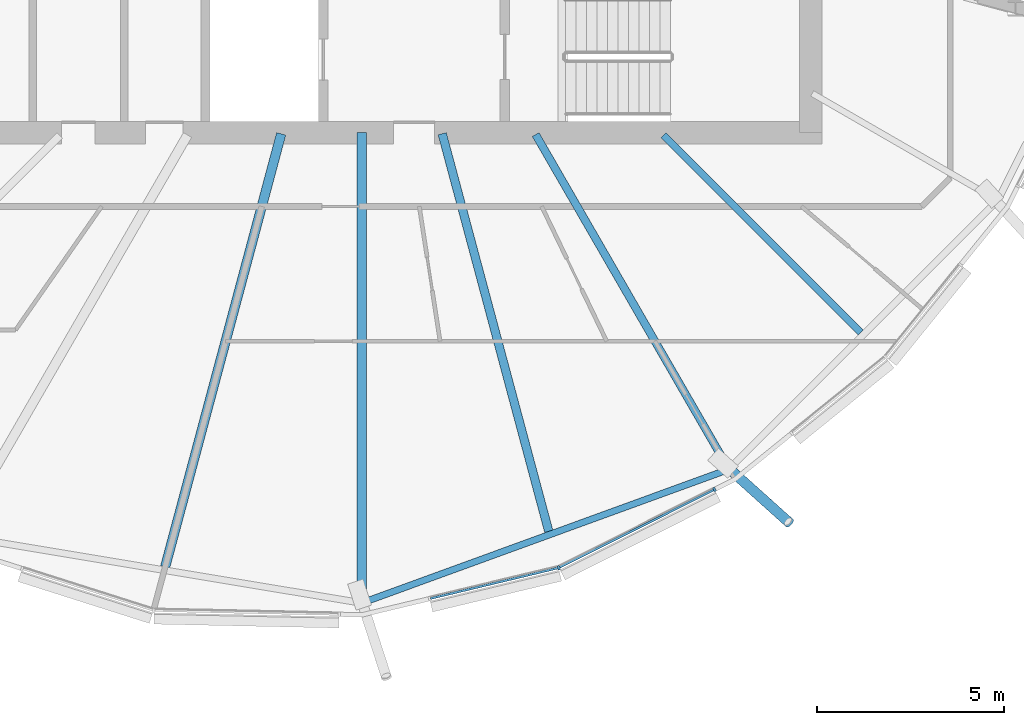
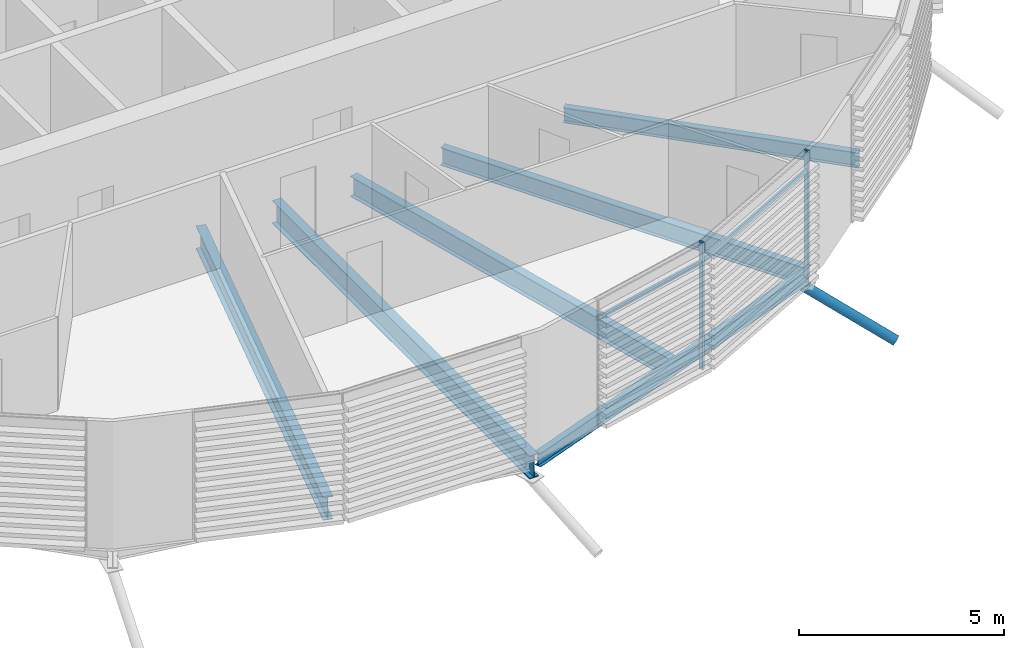
# One storey, part 12 of 36: 6 beams, 5 members, 1 element without a shape of its own.
"""IFC4 building model written with IfcOpenShell, lengths in metres."""

from ifc_helpers import new_model, si_unit, direction, frame, origin, origin_2d, place, context, subcontext, project, spatial, rectangle, hollow_circle, i_section, extrude, clip, halfspace, material, material_profile, profile_set, type_object, element, aggregate, save


model = new_model("IFC4")

# Units and contexts
model_context = context("Model", 3, precision=1e-05, world=origin(), true_north=direction((0.0, 1.0)))
body_context = subcontext(model_context, "Body", "Model", "MODEL_VIEW")
ifc_project = project(units=[si_unit("LENGTHUNIT", "METRE"), si_unit("AREAUNIT", "SQUARE_METRE"), si_unit("VOLUMEUNIT", "CUBIC_METRE"), si_unit("PLANEANGLEUNIT", "RADIAN"), si_unit("MASSUNIT", "GRAM", prefix="KILO")], contexts=[model_context])

# Site, building, storey
site_placement = place(None, origin())
site = spatial("IfcSite", under=ifc_project, at=site_placement, CompositionType="ELEMENT")
building_placement = place(site_placement, origin())
building = spatial("IfcBuilding", under=site, at=building_placement, Name="Rimbun Link Towers", CompositionType="ELEMENT")
storey_placement = place(building_placement, frame((0.0, 0.0, 174.10009765625)))
storey = spatial("IfcBuildingStorey", under=building, at=storey_placement, Name="L42", CompositionType="ELEMENT", Elevation=174.10009765625)

# Curtain wall, members
ifc_material_1 = material(Name="Aluminium 6063-T6 and low-iron glass", Category="aluminium")
curtain_wall_type = type_object("IfcCurtainWallType", Name="CW1-Z3 unitised vision wall (zone 3)", PredefinedType="NOTDEFINED", material=ifc_material_1)
curtain_wall_placement = place(storey_placement, origin())
curtain_wall = element("IfcCurtainWall", 1, at=curtain_wall_placement, inside=storey, type_object=curtain_wall_type, Name="CW1 L42 T2", PredefinedType="NOTDEFINED")
ifc_material_2 = material(Name="Aluminium 6063-T6", Category="aluminium")
ifc_material_profile_1 = material_profile(ifc_material_2, rectangle(XDim=0.1201171875, YDim=0.06005859375, at=origin_2d()), Name="MULLION 60X120")
ifc_profile_set_1 = profile_set([ifc_material_profile_1], Name="Aluminium 6063-T6")
member_type_1 = type_object("IfcMemberType", Name="CW1 mullion 60X120", PredefinedType="MULLION", material=ifc_profile_set_1)
member_1_placement = place(storey_placement, frame((37.0166015625, -19.634765625, 0.0), z_axis=(0.0, 0.0, 1.0), x_axis=(0.342962048977, -0.939349260372, 0.0)))
member_1 = element("IfcMember", 2, at=member_1_placement, type_object=member_type_1, Name="CW1 mullion", PredefinedType="MULLION", context=body_context, shape_type="SweptSolid", body=[
    extrude(rectangle(XDim=0.1201171875, YDim=0.06005859375, at=origin_2d()), origin(), (0.0, 0.0, 1.0), 3.7998046875),
])
member_2_placement = place(storey_placement, frame((41.182861328125, -17.54296875, 0.0), z_axis=(0.0, 0.0, 1.0), x_axis=(0.44877333613, -0.893645619235, 0.0)))
member_2 = element("IfcMember", 3, at=member_2_placement, type_object=member_type_1, Name="CW1 mullion", PredefinedType="MULLION", context=body_context, shape_type="SweptSolid", body=[
    extrude(rectangle(XDim=0.1201171875, YDim=0.06005859375, at=origin_2d()), origin(), (0.0, 0.0, 1.0), 3.7998046875),
])
ifc_material_3 = material(Name="Aluminium 6063-T6", Category="aluminium")
ifc_material_profile_2 = material_profile(ifc_material_3, rectangle(XDim=0.06005859375, YDim=0.1201171875, at=origin_2d()), Name="TRANSOM 60X120")
ifc_profile_set_2 = profile_set([ifc_material_profile_2], Name="Aluminium 6063-T6")
member_type_2 = type_object("IfcMemberType", Name="CW1 transom 60X120", PredefinedType="USERDEFINED", material=ifc_profile_set_2)
member_3_placement = place(storey_placement, frame((36.980224609375, -19.641845703125, 3.199951171875), z_axis=(-0.972573377693, -0.232596270397, 0.0), x_axis=(0.232596270397, -0.972573377693, 0.0)))
member_3 = element("IfcMember", 4, at=member_3_placement, type_object=member_type_2, Name="CW1 transom", ObjectType="TRANSOM", PredefinedType="USERDEFINED", context=body_context, shape_type="SweptSolid", body=[
    extrude(rectangle(XDim=0.06005859375, YDim=0.1201171875, at=origin_2d()), origin(), (0.0, 0.0, 1.0), 3.483642578125),
])
member_4_placement = place(storey_placement, frame((41.155029296875, -17.5546875, 3.199951171875), z_axis=(-0.893628789195, -0.448806848346, 0.0), x_axis=(0.448806848346, -0.893628789195, 0.0)))
member_4 = element("IfcMember", 5, at=member_4_placement, type_object=member_type_2, Name="CW1 transom", ObjectType="TRANSOM", PredefinedType="USERDEFINED", context=body_context, shape_type="SweptSolid", body=[
    extrude(rectangle(XDim=0.06005859375, YDim=0.1201171875, at=origin_2d()), origin(), (0.0, 0.0, 1.0), 4.594970703125),
])
aggregate(curtain_wall, [member_1, member_2, member_3, member_4])

# Member
ifc_material_4 = material(Name="Steel S355J2H", Category="steel")
ifc_material_profile_3 = material_profile(ifc_material_4, hollow_circle(Radius=0.136474609375, WallThickness=0.012451171875, at=origin_2d()), Name="CHS 273x12.5")
ifc_profile_set_3 = profile_set([ifc_material_profile_3], Name="Steel S355J2H")
member_type_3 = type_object("IfcMemberType", Name="Floor edge link CHS 273x12.5", PredefinedType="BRACE", material=ifc_profile_set_3)
member_5_placement = place(storey_placement, frame((41.54052734375, -16.957763671875, -0.8017578125), z_axis=(0.648522207898, -0.582409319216, -0.490120730794), x_axis=(0.668165288161, 0.744012867964, 0.0)))
element("IfcMember", 6, at=member_5_placement, inside=storey, type_object=member_type_3, Name="Floor edge link T2 L42 17", PredefinedType="BRACE", context=body_context, shape_type="Clipping", body=[
    clip(extrude(hollow_circle(Radius=0.136474609375, WallThickness=0.012451171875, at=origin_2d()), frame((0.0, 0.0, -0.505859375)), (0.0, 0.0, 1.0), 3.042724609375), halfspace(frame((0.0, 0.0, -0.23779296875), z_axis=(0.0, 0.871654558438, -0.490120730794)), False)),
])

# Beams
ifc_material_5 = material(Name="Steel S355J2", Category="steel")
ifc_material_profile_4 = material_profile(ifc_material_5, i_section(OverallWidth=0.177978515625, OverallDepth=0.406494140625, WebThickness=0.0078125, FlangeThickness=0.0126953125, at=origin_2d()), Name="UB 406x178x60")
ifc_profile_set_4 = profile_set([ifc_material_profile_4], Name="Steel S355J2")
beam_type_1 = type_object("IfcBeamType", Name="UB 406x178x60", PredefinedType="BEAM", material=ifc_profile_set_4)
beam_1_placement = place(storey_placement, frame((31.877685546875, -20.529541015625, -0.353271484375), z_axis=(0.939613749302, 0.342236763255, 0.0), x_axis=(-0.342236763255, 0.939613749302, 0.0)))
element("IfcBeam", 7, at=beam_1_placement, inside=storey, type_object=beam_type_1, Name="Edge beam T2 L42 15-17", PredefinedType="BEAM", context=body_context, shape_type="SweptSolid", body=[
    extrude(i_section(OverallWidth=0.177978515625, OverallDepth=0.406494140625, WebThickness=0.0078125, FlangeThickness=0.0126953125, at=origin_2d()), origin(), (0.0, 0.0, 1.0), 10.203369140625),
])
ifc_material_6 = material(Name="Steel S355J2", Category="steel")
ifc_material_profile_5 = material_profile(ifc_material_6, i_section(OverallWidth=0.18994140625, OverallDepth=0.453369140625, WebThickness=0.008544921875, FlangeThickness=0.0126953125, at=origin_2d()), Name="UB 457x191x67")
ifc_profile_set_5 = profile_set([ifc_material_profile_5], Name="Steel S355J2")
beam_type_2 = type_object("IfcBeamType", Name="UB 457x191x67", PredefinedType="BEAM", material=ifc_profile_set_5)
beam_2_placement = place(storey_placement, frame((39.81787109375, -8.06787109375, -0.376708984375), z_axis=(0.707106781187, -0.707106781187, 0.0), x_axis=(0.707106781187, 0.707106781187, 0.0)))
element("IfcBeam", 8, at=beam_2_placement, inside=storey, type_object=beam_type_2, Name="Radial beam T2 L42 18", PredefinedType="BEAM", context=body_context, shape_type="SweptSolid", body=[
    extrude(i_section(OverallWidth=0.18994140625, OverallDepth=0.453369140625, WebThickness=0.008544921875, FlangeThickness=0.0126953125, at=origin_2d()), origin(), (0.0, 0.0, 1.0), 7.462646484375),
])
ifc_material_7 = material(Name="Steel S355J2", Category="steel")
ifc_material_profile_6 = material_profile(ifc_material_7, i_section(OverallWidth=0.209228515625, OverallDepth=0.533203125, WebThickness=0.010009765625, FlangeThickness=0.015625, at=origin_2d()), Name="UB 533x210x92")
ifc_profile_set_6 = profile_set([ifc_material_profile_6], Name="Steel S355J2")
beam_type_3 = type_object("IfcBeamType", Name="UB 533x210x92", PredefinedType="BEAM", material=ifc_profile_set_6)
beam_3_placement = place(storey_placement, frame((36.3994140625, -8.05322265625, -0.416748046875), z_axis=(0.500001996123, -0.866024251319, 0.0), x_axis=(0.866024251319, 0.500001996123, 0.0)))
element("IfcBeam", 9, at=beam_3_placement, inside=storey, type_object=beam_type_3, Name="Radial beam T2 L42 17", PredefinedType="BEAM", context=body_context, shape_type="SweptSolid", body=[
    extrude(i_section(OverallWidth=0.209228515625, OverallDepth=0.533203125, WebThickness=0.010009765625, FlangeThickness=0.015625, at=origin_2d()), origin(), (0.0, 0.0, 1.0), 10.33203125),
])
ifc_material_8 = material(Name="Steel S355J2", Category="steel")
ifc_material_profile_7 = material_profile(ifc_material_8, i_section(OverallWidth=0.2275390625, OverallDepth=0.6025390625, WebThickness=0.010498046875, FlangeThickness=0.014892578125, at=origin_2d()), Name="UB 610x229x101")
ifc_profile_set_7 = profile_set([ifc_material_profile_7], Name="Steel S355J2")
beam_type_4 = type_object("IfcBeamType", Name="UB 610x229x101", PredefinedType="BEAM", material=ifc_profile_set_7)
beam_4_placement = place(storey_placement, frame((33.901611328125, -8.030517578125, -0.451416015625), z_axis=(0.258836266354, -0.965921211704, 0.0), x_axis=(0.965921211704, 0.258836266354, 0.0)))
element("IfcBeam", 10, at=beam_4_placement, inside=storey, type_object=beam_type_4, Name="Radial beam T2 L42 16", PredefinedType="BEAM", context=body_context, shape_type="SweptSolid", body=[
    extrude(i_section(OverallWidth=0.2275390625, OverallDepth=0.6025390625, WebThickness=0.010498046875, FlangeThickness=0.014892578125, at=origin_2d()), origin(), (0.0, 0.0, 1.0), 11.003662109375),
])
ifc_material_9 = material(Name="Steel S355J2", Category="steel")
ifc_material_profile_8 = material_profile(ifc_material_9, i_section(OverallWidth=0.253662109375, OverallDepth=0.68359375, WebThickness=0.012451171875, FlangeThickness=0.01904296875, at=origin_2d()), Name="UB 686x254x140")
ifc_profile_set_8 = profile_set([ifc_material_profile_8], Name="Steel S355J2")
beam_type_5 = type_object("IfcBeamType", Name="UB 686x254x140", PredefinedType="BEAM", material=ifc_profile_set_8)
beam_5_placement = place(storey_placement, frame((29.597412109375, -8.03369140625, -0.491943359375), z_axis=(-0.25882636602, -0.965923864625, 0.0), x_axis=(0.965923864625, -0.25882636602, 0.0)))
element("IfcBeam", 11, at=beam_5_placement, inside=storey, type_object=beam_type_5, Name="Radial beam T2 L42 14", PredefinedType="BEAM", context=body_context, shape_type="SweptSolid", body=[
    extrude(i_section(OverallWidth=0.253662109375, OverallDepth=0.68359375, WebThickness=0.012451171875, FlangeThickness=0.01904296875, at=origin_2d()), origin(), (0.0, 0.0, 1.0), 11.985107421875),
])
beam_6_placement = place(storey_placement, frame((31.75, -8.0009765625, -0.491943359375), z_axis=(0.0, -1.0, 0.0), x_axis=(1.0, 0.0, 0.0)))
element("IfcBeam", 12, at=beam_6_placement, inside=storey, type_object=beam_type_5, Name="Radial beam T2 L42 15", PredefinedType="BEAM", context=body_context, shape_type="SweptSolid", body=[
    extrude(i_section(OverallWidth=0.253662109375, OverallDepth=0.68359375, WebThickness=0.012451171875, FlangeThickness=0.01904296875, at=origin_2d()), origin(), (0.0, 0.0, 1.0), 12.5751953125),
])

save(model, "model.ifc")
